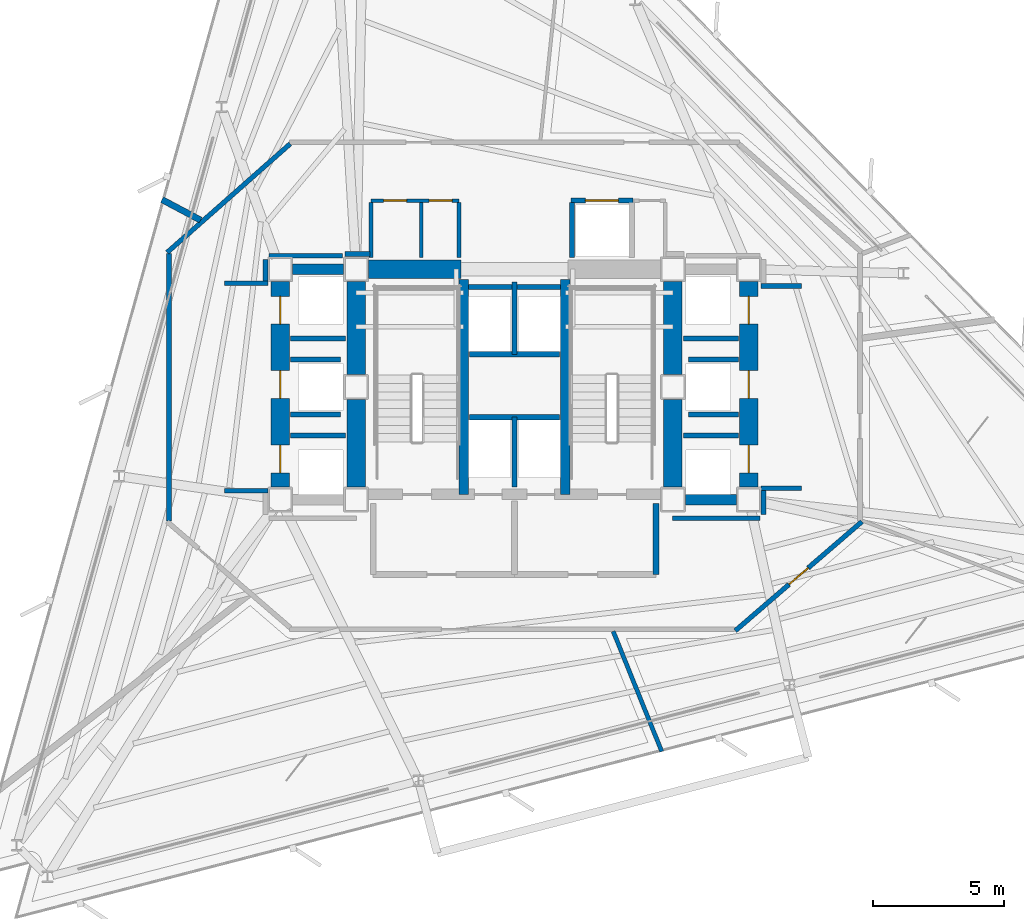
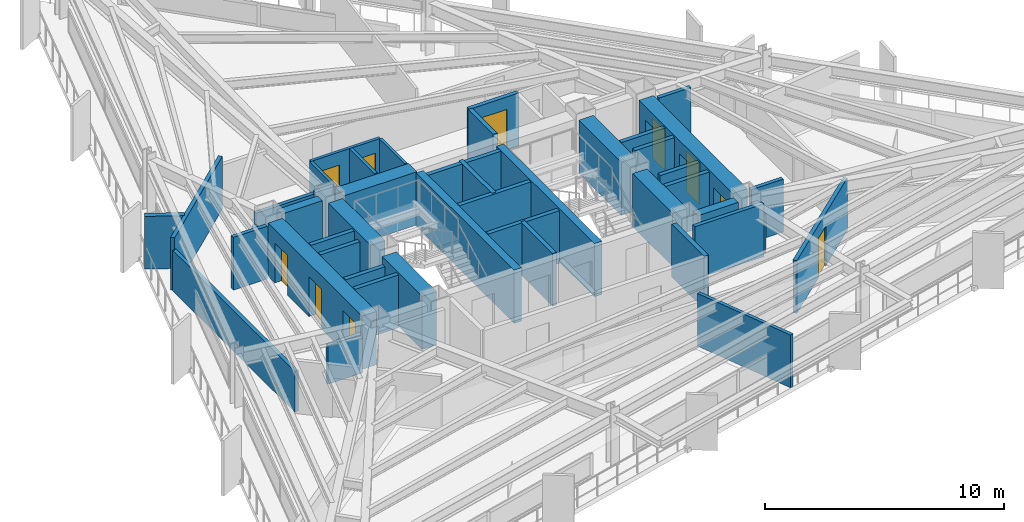
# One storey, part 7 of 11: 45 walls, 10 doors, 10 openings.
"""IFC4 building model written with IfcOpenShell, lengths in metres."""

from ifc_helpers import new_model, si_unit, direction, frame, frame_2d, origin, place, context, subcontext, project, spatial, rectangle, extrude, material, layer, layer_set, type_object, element, fill, save


model = new_model("IFC4")

# Units and contexts
model_context = context("Model", 3, precision=1e-05, world=origin(), true_north=direction((0.0, 1.0)))
body_context = subcontext(model_context, "Body", "Model", "MODEL_VIEW")
ifc_project = project(units=[si_unit("LENGTHUNIT", "METRE"), si_unit("AREAUNIT", "SQUARE_METRE"), si_unit("VOLUMEUNIT", "CUBIC_METRE"), si_unit("PLANEANGLEUNIT", "RADIAN"), si_unit("MASSUNIT", "GRAM", prefix="KILO")], contexts=[model_context])

# Site, building, storey
site_placement = place(None, origin())
site = spatial("IfcSite", under=ifc_project, at=site_placement, CompositionType="ELEMENT")
building_placement = place(site_placement, origin())
building = spatial("IfcBuilding", under=site, at=building_placement, Name="Rocaltana Carrier Exchange", CompositionType="ELEMENT")
storey_placement = place(building_placement, frame((0.0, 0.0, 97.760009765625)))
storey = spatial("IfcBuildingStorey", under=building, at=storey_placement, Name="L30", CompositionType="ELEMENT", Elevation=97.760009765625)

# Walls
ifc_material_1 = material(Name="Double Acoustic Gypsum Partition", Category="gypsum")
ifc_layer_1 = layer(ifc_material_1, 0.159912109375)
ifc_layer_set_1 = layer_set([ifc_layer_1], Name="Double Acoustic Gypsum Partition")
wall_type_1 = type_object("IfcWallType", Name="Acoustic Studio Partition 160 EI60", PredefinedType="PARTITIONING", material=ifc_layer_set_1)
wall_1_placement = place(storey_placement, frame((3.76953125, -9.330078125, 0.0), z_axis=(0.0, 0.0, 1.0), x_axis=(0.374635876877, -0.927172022743, 0.0)))
element("IfcWall", 1, at=wall_1_placement, inside=storey, type_object=wall_type_1, Name="L30 Suite Divider Wall D2", PredefinedType="PARTITIONING", context=body_context, shape_type="SweptSolid", body=[
    extrude(rectangle(XDim=4.951416015625, YDim=0.159912109375, at=frame_2d((2.4755859375, 0.0))), origin(), (0.0, 0.0, 1.0), 2.69287109375),
])
ifc_material_2 = material(Name="Concrete C50/60", Category="concrete")
ifc_layer_2 = layer(ifc_material_2, 0.35009765625)
ifc_layer_set_2 = layer_set([ifc_layer_2], Name="Concrete C50/60")
wall_type_2 = type_object("IfcWallType", Name="Core Internal Shear Wall 350", PredefinedType="SHEAR", material=ifc_layer_set_2)
for number, where, z_axis, x_axis, name in (
    (2, (-1.93994140625, -4.10009765625, 0.0), (0.0, 0.0, 1.0), (0.0, 1.0, 0.0), "L30 Core Shear Wall CW-STW"),
    (3, (1.93994140625, -4.10009765625, 0.0), (0.0, 0.0, 1.0), (0.0, 1.0, 0.0), "L30 Core Shear Wall CW-STE"),
):
    element("IfcWall", number, at=place(storey_placement, frame(where, z_axis=z_axis, x_axis=x_axis)), inside=storey, type_object=wall_type_2, Name=name, PredefinedType="SHEAR", context=body_context, shape_type="SweptSolid", body=[
        extrude(rectangle(XDim=8.2001953125, YDim=0.35009765625, at=frame_2d((4.10009765625, 0.0))), origin(), (0.0, 0.0, 1.0), 2.718017578125),
    ])
ifc_material_3 = material(Name="Concrete C50/60", Category="concrete")
ifc_layer_3 = layer(ifc_material_3, 0.39990234375)
ifc_layer_set_3 = layer_set([ifc_layer_3], Name="Concrete C50/60")
wall_type_3 = type_object("IfcWallType", Name="Core Internal Shear Wall 400", PredefinedType="SHEAR", material=ifc_layer_set_3)
for number, where, z_axis, x_axis, name in (
    (4, (-8.47509765625, 4.5, 0.0), (0.0, 0.0, 1.0), (1.0, 0.0, 0.0), "L30 Core Shear Wall CW-WWN"),
    (5, (6.52490234375, -4.300048828125, 0.0), (0.0, 0.0, 1.0), (1.0, 0.0, 0.0), "L30 Core Shear Wall CW-EWS"),
):
    element("IfcWall", number, at=place(storey_placement, frame(where, z_axis=z_axis, x_axis=x_axis)), inside=storey, type_object=wall_type_3, Name=name, PredefinedType="SHEAR", context=body_context, shape_type="SweptSolid", body=[
        extrude(rectangle(XDim=1.9501953125, YDim=0.39990234375, at=frame_2d((0.97509765625, 0.0))), origin(), (0.0, 0.0, 1.0), 2.718017578125),
    ])
ifc_material_4 = material(Name="Concrete C60/75", Category="concrete")
ifc_layer_4 = layer(ifc_material_4, 0.699951171875)
ifc_layer_set_4 = layer_set([ifc_layer_4], Name="Concrete C60/75")
wall_type_4 = type_object("IfcWallType", Name="Core Shear Wall 700", PredefinedType="SHEAR", material=ifc_layer_set_4)
wall_2_placement = place(storey_placement, frame((-6.050048828125, 0.47509765625, 0.0), z_axis=(0.0, 0.0, 1.0), x_axis=(0.0, 1.0, 0.0)))
element("IfcWall", 6, at=wall_2_placement, inside=storey, type_object=wall_type_4, Name="L30 Core Shear Wall CW-WN", PredefinedType="SHEAR", context=body_context, shape_type="SweptSolid", body=[
    extrude(rectangle(XDim=3.5498046875, YDim=0.699951171875, at=frame_2d((1.77490234375, 0.0))), origin(), (0.0, 0.0, 1.0), 2.718017578125),
])
wall_3_placement = place(storey_placement, frame((-6.050048828125, -3.824951171875, 0.0), z_axis=(0.0, 0.0, 1.0), x_axis=(0.0, 1.0, 0.0)))
element("IfcWall", 7, at=wall_3_placement, inside=storey, type_object=wall_type_4, Name="L30 Core Shear Wall CW-WS", PredefinedType="SHEAR", context=body_context, shape_type="SweptSolid", body=[
    extrude(rectangle(XDim=3.349853515625, YDim=0.699951171875, at=frame_2d((1.6748046875, 0.0))), origin(), (0.0, 0.0, 1.0), 2.718017578125),
])
wall_4_placement = place(storey_placement, frame((6.050048828125, 0.47509765625, 0.0), z_axis=(0.0, 0.0, 1.0), x_axis=(0.0, 1.0, 0.0)))
element("IfcWall", 8, at=wall_4_placement, inside=storey, type_object=wall_type_4, Name="L30 Core Shear Wall CW-EN", PredefinedType="SHEAR", context=body_context, shape_type="SweptSolid", body=[
    extrude(rectangle(XDim=3.5498046875, YDim=0.699951171875, at=frame_2d((1.77490234375, 0.0))), origin(), (0.0, 0.0, 1.0), 2.718017578125),
])
wall_5_placement = place(storey_placement, frame((6.050048828125, -3.824951171875, 0.0), z_axis=(0.0, 0.0, 1.0), x_axis=(0.0, 1.0, 0.0)))
element("IfcWall", 9, at=wall_5_placement, inside=storey, type_object=wall_type_4, Name="L30 Core Shear Wall CW-ES", PredefinedType="SHEAR", context=body_context, shape_type="SweptSolid", body=[
    extrude(rectangle(XDim=3.349853515625, YDim=0.699951171875, at=frame_2d((1.6748046875, 0.0))), origin(), (0.0, 0.0, 1.0), 2.718017578125),
])
wall_6_placement = place(storey_placement, frame((-5.574951171875, 4.5, 0.0), z_axis=(0.0, 0.0, 1.0), x_axis=(1.0, 0.0, 0.0)))
element("IfcWall", 10, at=wall_6_placement, inside=storey, type_object=wall_type_4, Name="L30 Core Shear Wall CW-N1", PredefinedType="SHEAR", context=body_context, shape_type="SweptSolid", body=[
    extrude(rectangle(XDim=3.52490234375, YDim=0.699951171875, at=frame_2d((1.762451171875, 0.0))), origin(), (0.0, 0.0, 1.0), 2.718017578125),
])

# Wall, openings, doors
wall_7_placement = place(storey_placement, frame((-8.949951171875, -3.824951171875, 0.0), z_axis=(0.0, 0.0, 1.0), x_axis=(0.0, 1.0, 0.0)))
wall_7 = element("IfcWall", 11, at=wall_7_placement, inside=storey, type_object=wall_type_4, Name="L30 Core Shear Wall CW-WW", PredefinedType="SHEAR", context=body_context, shape_type="SweptSolid", body=[
    extrude(rectangle(XDim=7.849853515625, YDim=0.699951171875, at=frame_2d((3.9248046875, 0.0))), origin(), (0.0, 0.0, 1.0), 2.718017578125),
])
opening_1_placement = place(wall_7_placement, frame((0.550048828125, 0.0, 0.0)))
opening_1 = element("IfcOpeningElement", 12, at=opening_1_placement, cuts=wall_7, Name="Opening LD-110", PredefinedType="OPENING", context=body_context, shape_type="SweptSolid", body=[
    extrude(rectangle(XDim=1.06005859375, YDim=2.0400390625, at=frame_2d((0.530029296875, 1.02001953125))), frame((0.0, 0.35986328125, 0.0), z_axis=(0.0, -1.0, 0.0), x_axis=(1.0, 0.0, 0.0)), (0.0, 0.0, 1.0), 0.719970703125),
])
opening_2_placement = place(wall_7_placement, frame((3.39501953125, 0.0, 0.0)))
opening_2 = element("IfcOpeningElement", 13, at=opening_2_placement, cuts=wall_7, Name="Opening LD-110", PredefinedType="OPENING", context=body_context, shape_type="SweptSolid", body=[
    extrude(rectangle(XDim=1.06005859375, YDim=2.0400390625, at=frame_2d((0.530029296875, 1.02001953125))), frame((0.0, 0.35986328125, 0.0), z_axis=(0.0, -1.0, 0.0), x_axis=(1.0, 0.0, 0.0)), (0.0, 0.0, 1.0), 0.719970703125),
])
opening_3_placement = place(wall_7_placement, frame((6.22998046875, 0.0, 0.0)))
opening_3 = element("IfcOpeningElement", 14, at=opening_3_placement, cuts=wall_7, Name="Opening LD-110", PredefinedType="OPENING", context=body_context, shape_type="SweptSolid", body=[
    extrude(rectangle(XDim=1.06005859375, YDim=2.0400390625, at=frame_2d((0.530029296875, 1.02001953125))), frame((0.0, 0.35986328125, 0.0), z_axis=(0.0, -1.0, 0.0), x_axis=(1.0, 0.0, 0.0)), (0.0, 0.0, 1.0), 0.719970703125),
])
ifc_material_5 = material(Name="Brushed Stainless Sliding Door Leaf", Category="steel")
door_type_1 = type_object("IfcDoorType", Name="Lift Landing Sliding Door 1060x2040", OperationType="NOTDEFINED", PredefinedType="DOOR", material=ifc_material_5)
door_1_placement = place(opening_1_placement, origin())
door_1 = element("IfcDoor", 15, at=door_1_placement, inside=storey, type_object=door_type_1, Name="L30 Low-Rise Lift PL-L1 Landing Door", OperationType="SLIDING_TO_LEFT", OverallHeight=2.0400390625, OverallWidth=1.06005859375, PredefinedType="DOOR", context=body_context, shape_type="SweptSolid", body=[
    extrude(rectangle(XDim=1.06005859375, YDim=2.0400390625, at=frame_2d((0.530029296875, 1.02001953125))), frame((0.0, 0.02490234375, 0.0), z_axis=(0.0, -1.0, 0.0), x_axis=(1.0, 0.0, 0.0)), (0.0, 0.0, 1.0), 0.050048828125),
])
fill(opening_1, door_1)
door_2_placement = place(opening_2_placement, origin())
door_2 = element("IfcDoor", 16, at=door_2_placement, inside=storey, type_object=door_type_1, Name="L30 Low-Rise Lift PL-L2 Landing Door", OperationType="SLIDING_TO_RIGHT", OverallHeight=2.0400390625, OverallWidth=1.06005859375, PredefinedType="DOOR", context=body_context, shape_type="SweptSolid", body=[
    extrude(rectangle(XDim=1.06005859375, YDim=2.0400390625, at=frame_2d((0.530029296875, 1.02001953125))), frame((0.0, 0.02490234375, 0.0), z_axis=(0.0, -1.0, 0.0), x_axis=(1.0, 0.0, 0.0)), (0.0, 0.0, 1.0), 0.050048828125),
])
fill(opening_2, door_2)
door_3_placement = place(opening_3_placement, origin())
door_3 = element("IfcDoor", 17, at=door_3_placement, inside=storey, type_object=door_type_1, Name="L30 Low-Rise Lift PL-L3 Landing Door", OperationType="SLIDING_TO_LEFT", OverallHeight=2.0400390625, OverallWidth=1.06005859375, PredefinedType="DOOR", context=body_context, shape_type="SweptSolid", body=[
    extrude(rectangle(XDim=1.06005859375, YDim=2.0400390625, at=frame_2d((0.530029296875, 1.02001953125))), frame((0.0, 0.02490234375, 0.0), z_axis=(0.0, -1.0, 0.0), x_axis=(1.0, 0.0, 0.0)), (0.0, 0.0, 1.0), 0.050048828125),
])
fill(opening_3, door_3)

wall_8_placement = place(storey_placement, frame((8.949951171875, -3.824951171875, 0.0), z_axis=(0.0, 0.0, 1.0), x_axis=(0.0, 1.0, 0.0)))
wall_8 = element("IfcWall", 18, at=wall_8_placement, inside=storey, type_object=wall_type_4, Name="L30 Core Shear Wall CW-EW", PredefinedType="SHEAR", context=body_context, shape_type="SweptSolid", body=[
    extrude(rectangle(XDim=7.849853515625, YDim=0.699951171875, at=frame_2d((3.9248046875, 0.0))), origin(), (0.0, 0.0, 1.0), 2.718017578125),
])
opening_4_placement = place(wall_8_placement, frame((0.550048828125, 0.0, 0.0)))
opening_4 = element("IfcOpeningElement", 19, at=opening_4_placement, cuts=wall_8, Name="Opening LD-110", PredefinedType="OPENING", context=body_context, shape_type="SweptSolid", body=[
    extrude(rectangle(XDim=1.06005859375, YDim=2.0400390625, at=frame_2d((0.530029296875, 1.02001953125))), frame((0.0, 0.35986328125, 0.0), z_axis=(0.0, -1.0, 0.0), x_axis=(1.0, 0.0, 0.0)), (0.0, 0.0, 1.0), 0.719970703125),
])
opening_5_placement = place(wall_8_placement, frame((3.39501953125, 0.0, 0.0)))
opening_5 = element("IfcOpeningElement", 20, at=opening_5_placement, cuts=wall_8, Name="Opening LD-110", PredefinedType="OPENING", context=body_context, shape_type="SweptSolid", body=[
    extrude(rectangle(XDim=1.06005859375, YDim=2.0400390625, at=frame_2d((0.530029296875, 1.02001953125))), frame((0.0, 0.35986328125, 0.0), z_axis=(0.0, -1.0, 0.0), x_axis=(1.0, 0.0, 0.0)), (0.0, 0.0, 1.0), 0.719970703125),
])
opening_6_placement = place(wall_8_placement, frame((6.22998046875, 0.0, 0.0)))
opening_6 = element("IfcOpeningElement", 21, at=opening_6_placement, cuts=wall_8, Name="Opening LD-110", PredefinedType="OPENING", context=body_context, shape_type="SweptSolid", body=[
    extrude(rectangle(XDim=1.06005859375, YDim=2.0400390625, at=frame_2d((0.530029296875, 1.02001953125))), frame((0.0, 0.35986328125, 0.0), z_axis=(0.0, -1.0, 0.0), x_axis=(1.0, 0.0, 0.0)), (0.0, 0.0, 1.0), 0.719970703125),
])
door_4_placement = place(opening_4_placement, origin())
door_4 = element("IfcDoor", 22, at=door_4_placement, inside=storey, type_object=door_type_1, Name="L30 Mid-Rise Lift PL-M1 Landing Door", OperationType="SLIDING_TO_LEFT", OverallHeight=2.0400390625, OverallWidth=1.06005859375, PredefinedType="DOOR", context=body_context, shape_type="SweptSolid", body=[
    extrude(rectangle(XDim=1.06005859375, YDim=2.0400390625, at=frame_2d((0.530029296875, 1.02001953125))), frame((0.0, 0.02490234375, 0.0), z_axis=(0.0, -1.0, 0.0), x_axis=(1.0, 0.0, 0.0)), (0.0, 0.0, 1.0), 0.050048828125),
])
fill(opening_4, door_4)
door_5_placement = place(opening_5_placement, origin())
door_5 = element("IfcDoor", 23, at=door_5_placement, inside=storey, type_object=door_type_1, Name="L30 Mid-Rise Lift PL-M2 Landing Door", OperationType="SLIDING_TO_RIGHT", OverallHeight=2.0400390625, OverallWidth=1.06005859375, PredefinedType="DOOR", context=body_context, shape_type="SweptSolid", body=[
    extrude(rectangle(XDim=1.06005859375, YDim=2.0400390625, at=frame_2d((0.530029296875, 1.02001953125))), frame((0.0, 0.02490234375, 0.0), z_axis=(0.0, -1.0, 0.0), x_axis=(1.0, 0.0, 0.0)), (0.0, 0.0, 1.0), 0.050048828125),
])
fill(opening_5, door_5)
door_6_placement = place(opening_6_placement, origin())
door_6 = element("IfcDoor", 24, at=door_6_placement, inside=storey, type_object=door_type_1, Name="L30 Mid-Rise Lift PL-M3 Landing Door", OperationType="SLIDING_TO_LEFT", OverallHeight=2.0400390625, OverallWidth=1.06005859375, PredefinedType="DOOR", context=body_context, shape_type="SweptSolid", body=[
    extrude(rectangle(XDim=1.06005859375, YDim=2.0400390625, at=frame_2d((0.530029296875, 1.02001953125))), frame((0.0, 0.02490234375, 0.0), z_axis=(0.0, -1.0, 0.0), x_axis=(1.0, 0.0, 0.0)), (0.0, 0.0, 1.0), 0.050048828125),
])
fill(opening_6, door_6)

# Wall, opening, door
ifc_material_6 = material(Name="Gypsum & Steel Stud Partition", Category="steel")
ifc_layer_5 = layer(ifc_material_6, 0.179931640625)
ifc_layer_set_5 = layer_set([ifc_layer_5], Name="Gypsum & Steel Stud Partition")
wall_type_5 = type_object("IfcWallType", Name="Corridor Fire Partition 180 EI60", PredefinedType="PARTITIONING", material=ifc_layer_set_5)
wall_9_placement = place(storey_placement, frame((13.268310546875, -5.14111328125, 0.0), z_axis=(0.0, 0.0, 1.0), x_axis=(-0.757534501725, -0.65279512766, 0.0)))
wall_9 = element("IfcWall", 25, at=wall_9_placement, inside=storey, type_object=wall_type_5, Name="L30 Corridor Partition 4", PredefinedType="PARTITIONING", context=body_context, shape_type="SweptSolid", body=[
    extrude(rectangle(XDim=6.384521484375, YDim=0.179931640625, at=frame_2d((3.1923828125, 0.0))), origin(), (0.0, 0.0, 1.0), 2.69287109375),
])
opening_7_placement = place(wall_9_placement, frame((2.712158203125, 0.0, 0.0)))
opening_7 = element("IfcOpeningElement", 26, at=opening_7_placement, cuts=wall_9, Name="Opening D-RM098", PredefinedType="OPENING", context=body_context, shape_type="SweptSolid", body=[
    extrude(rectangle(XDim=0.9599609375, YDim=2.02001953125, at=frame_2d((0.47998046875, 1.010009765625))), frame((0.0, 0.099853515625, 0.0), z_axis=(0.0, -1.0, 0.0), x_axis=(1.0, 0.0, 0.0)), (0.0, 0.0, 1.0), 0.199951171875),
])
ifc_material_7 = material(Name="Engineered Hardwood Timber", Category="wood")
door_type_2 = type_object("IfcDoorType", Name="Workspace Single Door 960x2020", OperationType="NOTDEFINED", PredefinedType="DOOR", material=ifc_material_7)
door_7_placement = place(opening_7_placement, origin())
door_7 = element("IfcDoor", 27, at=door_7_placement, inside=storey, type_object=door_type_2, Name="L30 Network Engineering Studio Entrance Door", OperationType="SINGLE_SWING_RIGHT", OverallHeight=2.02001953125, OverallWidth=0.9599609375, PredefinedType="DOOR", context=body_context, shape_type="SweptSolid", body=[
    extrude(rectangle(XDim=0.9599609375, YDim=2.02001953125, at=frame_2d((0.47998046875, 1.010009765625))), frame((0.0, 0.02490234375, 0.0), z_axis=(0.0, -1.0, 0.0), x_axis=(1.0, 0.0, 0.0)), (0.0, 0.0, 1.0), 0.050048828125),
])
fill(opening_7, door_7)

# Walls
wall_10_placement = place(storey_placement, frame((-13.199951171875, -5.110107421875, 0.0), z_axis=(0.0, 0.0, 1.0), x_axis=(0.0, 1.0, 0.0)))
element("IfcWall", 28, at=wall_10_placement, inside=storey, type_object=wall_type_5, Name="L30 Corridor Partition 7", PredefinedType="PARTITIONING", context=body_context, shape_type="SweptSolid", body=[
    extrude(rectangle(XDim=10.22021484375, YDim=0.179931640625, at=frame_2d((5.110107421875, 0.0))), origin(), (0.0, 0.0, 1.0), 2.072998046875),
])
wall_11_placement = place(storey_placement, frame((-13.267578125, 5.140380859375, 0.0), z_axis=(0.0, 0.0, 1.0), x_axis=(0.749626463267, 0.66186113768, 0.0)))
element("IfcWall", 29, at=wall_11_placement, inside=storey, type_object=wall_type_5, Name="L30 Corridor Partition 8", PredefinedType="PARTITIONING", context=body_context, shape_type="SweptSolid", body=[
    extrude(rectangle(XDim=6.27001953125, YDim=0.179931640625, at=frame_2d((3.135009765625, 0.0))), origin(), (0.0, 0.0, 1.0), 2.69287109375),
])
wall_12_placement = place(storey_placement, frame((-9.510009765625, 4.8701171875, 0.0), z_axis=(0.0, 0.0, 1.0), x_axis=(0.0, -1.0, 0.0)))
element("IfcWall", 30, at=wall_12_placement, inside=storey, type_object=wall_type_5, Name="L30 Corridor Partition 9", PredefinedType="PARTITIONING", context=body_context, shape_type="SweptSolid", body=[
    extrude(rectangle(XDim=0.820068359375, YDim=0.179931640625, at=frame_2d((0.41015625, 0.0))), origin(), (0.0, 0.0, 1.0), 2.20703125),
])
wall_13_placement = place(storey_placement, frame((-9.419921875, 3.9599609375, 0.0), z_axis=(0.0, 0.0, 1.0), x_axis=(-1.0, 0.0, 0.0)))
element("IfcWall", 31, at=wall_13_placement, inside=storey, type_object=wall_type_5, Name="L30 Corridor Partition 10", PredefinedType="PARTITIONING", context=body_context, shape_type="SweptSolid", body=[
    extrude(rectangle(XDim=1.650146484375, YDim=0.179931640625, at=frame_2d((0.8251953125, 0.0))), origin(), (0.0, 0.0, 1.0), 2.69287109375),
])
wall_14_placement = place(storey_placement, frame((-11.070068359375, -3.9599609375, 0.0), z_axis=(0.0, 0.0, 1.0), x_axis=(1.0, 0.0, 0.0)))
element("IfcWall", 32, at=wall_14_placement, inside=storey, type_object=wall_type_5, Name="L30 Corridor Partition 11", PredefinedType="PARTITIONING", context=body_context, shape_type="SweptSolid", body=[
    extrude(rectangle(XDim=1.650146484375, YDim=0.179931640625, at=frame_2d((0.8251953125, 0.0))), origin(), (0.0, 0.0, 1.0), 1.97802734375),
])
wall_15_placement = place(storey_placement, frame((6.030029296875, -5.010009765625, 0.0), z_axis=(0.0, 0.0, 1.0), x_axis=(1.0, 0.0, 0.0)))
element("IfcWall", 33, at=wall_15_placement, inside=storey, type_object=wall_type_5, Name="L30 Corridor Partition 16", PredefinedType="PARTITIONING", context=body_context, shape_type="SweptSolid", body=[
    extrude(rectangle(XDim=3.340087890625, YDim=0.179931640625, at=frame_2d((1.669921875, 0.0))), origin(), (0.0, 0.0, 1.0), 2.69287109375),
])
wall_16_placement = place(storey_placement, frame((9.510009765625, -4.8701171875, 0.0), z_axis=(0.0, 0.0, 1.0), x_axis=(0.0, 1.0, 0.0)))
element("IfcWall", 34, at=wall_16_placement, inside=storey, type_object=wall_type_5, Name="L30 Corridor Partition 17", PredefinedType="PARTITIONING", context=body_context, shape_type="SweptSolid", body=[
    extrude(rectangle(XDim=0.920166015625, YDim=0.179931640625, at=frame_2d((0.4599609375, 0.0))), origin(), (0.0, 0.0, 1.0), 1.97802734375),
])
for number, where, z_axis, x_axis, name in (
    (35, (9.419921875, -3.860107421875, 0.0), (0.0, 0.0, 1.0), (1.0, 0.0, 0.0), "L30 Corridor Partition 18"),
    (36, (10.969970703125, 3.860107421875, 0.0), (0.0, 0.0, 1.0), (-1.0, 0.0, 0.0), "L30 Corridor Partition 19"),
):
    element("IfcWall", number, at=place(storey_placement, frame(where, z_axis=z_axis, x_axis=x_axis)), inside=storey, type_object=wall_type_5, Name=name, PredefinedType="PARTITIONING", context=body_context, shape_type="SweptSolid", body=[
        extrude(rectangle(XDim=1.550048828125, YDim=0.179931640625, at=frame_2d((0.77490234375, 0.0))), origin(), (0.0, 0.0, 1.0), 2.69287109375),
    ])
wall_17_placement = place(storey_placement, frame((-5.52001953125, 5.080078125, 0.0), z_axis=(0.0, 0.0, 1.0), x_axis=(-1.0, 0.0, 0.0)))
element("IfcWall", 37, at=wall_17_placement, inside=storey, type_object=wall_type_5, Name="L30 Corridor Partition 25", PredefinedType="PARTITIONING", context=body_context, shape_type="SweptSolid", body=[
    extrude(rectangle(XDim=0.949951171875, YDim=0.179931640625, at=frame_2d((0.47509765625, 0.0))), origin(), (0.0, 0.0, 1.0), 2.69287109375),
])
wall_18_placement = place(storey_placement, frame((-6.562255859375, 5.010009765625, 0.0), z_axis=(0.0, 0.0, 1.0), x_axis=(-1.0, 0.0, 0.0)))
element("IfcWall", 38, at=wall_18_placement, inside=storey, type_object=wall_type_5, Name="L30 Corridor Partition 26", PredefinedType="PARTITIONING", context=body_context, shape_type="SweptSolid", body=[
    extrude(rectangle(XDim=2.807861328125, YDim=0.179931640625, at=frame_2d((1.40380859375, 0.0))), origin(), (0.0, 0.0, 1.0), 2.69287109375),
])
ifc_material_8 = material(Name="Autoclaved Aerated Concrete C30/37", Category="concrete")
ifc_layer_6 = layer(ifc_material_8, 0.219970703125)
ifc_layer_set_6 = layer_set([ifc_layer_6], Name="Autoclaved Aerated Concrete C30/37")
wall_type_6 = type_object("IfcWallType", Name="Firefighting Lobby Wall 220 EI120", PredefinedType="PARTITIONING", material=ifc_layer_set_6)
wall_19_placement = place(storey_placement, frame((5.39990234375, -7.159912109375, 0.0), z_axis=(0.0, 0.0, 1.0), x_axis=(0.0, 1.0, 0.0)))
element("IfcWall", 39, at=wall_19_placement, inside=storey, type_object=wall_type_6, Name="L30 FFL Lobby 2 East Wall", PredefinedType="PARTITIONING", context=body_context, shape_type="SweptSolid", body=[
    extrude(rectangle(XDim=2.7099609375, YDim=0.219970703125, at=frame_2d((1.35498046875, 0.0))), origin(), (0.0, 0.0, 1.0), 2.69287109375),
])
ifc_material_9 = material(Name="Acoustic Calcium Silicate Partition", Category="gypsum")
ifc_layer_7 = layer(ifc_material_9, 0.239990234375)
ifc_layer_set_7 = layer_set([ifc_layer_7], Name="Acoustic Calcium Silicate Partition")
wall_type_7 = type_object("IfcWallType", Name="Heavy Lab Partition 240 EI90", PredefinedType="PARTITIONING", material=ifc_layer_set_7)
wall_20_placement = place(storey_placement, frame((-11.989990234375, 6.375244140625, 0.0), z_axis=(0.0, 0.0, 1.0), x_axis=(-0.882931788889, 0.469501284524, 0.0)))
element("IfcWall", 40, at=wall_20_placement, inside=storey, type_object=wall_type_7, Name="L30 Suite Divider Wall D7", PredefinedType="PARTITIONING", context=body_context, shape_type="SweptSolid", body=[
    extrude(rectangle(XDim=1.667724609375, YDim=0.239990234375, at=frame_2d((0.833984375, 0.0))), origin(), (0.0, 0.0, 1.0), 2.69287109375),
])
ifc_material_10 = material(Name="Reinforced Concrete Block C35/45", Category="concrete")
ifc_layer_8 = layer(ifc_material_10, 0.199951171875)
ifc_layer_set_8 = layer_set([ifc_layer_8], Name="Reinforced Concrete Block C35/45")
wall_type_8 = type_object("IfcWallType", Name="Lift Hoistway Enclosure Wall 200 EI120", PredefinedType="PARTITIONING", material=ifc_layer_set_8)
wall_21_placement = place(storey_placement, frame((0.0, -3.820068359375, 0.0), z_axis=(0.0, 0.0, 1.0), x_axis=(0.0, 1.0, 0.0)))
element("IfcWall", 41, at=wall_21_placement, inside=storey, type_object=wall_type_8, Name="L30 FFL Shaft Divider", PredefinedType="PARTITIONING", context=body_context, shape_type="SweptSolid", body=[
    extrude(rectangle(XDim=2.670166015625, YDim=0.199951171875, at=frame_2d((1.3349609375, 0.0))), origin(), (0.0, 0.0, 1.0), 2.69287109375),
])
wall_22_placement = place(storey_placement, frame((-1.719970703125, -1.14990234375, 0.0), z_axis=(0.0, 0.0, 1.0), x_axis=(1.0, 0.0, 0.0)))
element("IfcWall", 42, at=wall_22_placement, inside=storey, type_object=wall_type_8, Name="L30 FFL Shaft Back Wall", PredefinedType="PARTITIONING", context=body_context, shape_type="SweptSolid", body=[
    extrude(rectangle(XDim=3.43994140625, YDim=0.199951171875, at=frame_2d((1.719970703125, 0.0))), origin(), (0.0, 0.0, 1.0), 2.69287109375),
])
wall_23_placement = place(storey_placement, frame((0.0, 1.25, 0.0), z_axis=(0.0, 0.0, 1.0), x_axis=(0.0, 1.0, 0.0)))
element("IfcWall", 43, at=wall_23_placement, inside=storey, type_object=wall_type_8, Name="L30 High-Rise Shaft Divider", PredefinedType="PARTITIONING", context=body_context, shape_type="SweptSolid", body=[
    extrude(rectangle(XDim=2.77001953125, YDim=0.199951171875, at=frame_2d((1.385009765625, 0.0))), origin(), (0.0, 0.0, 1.0), 2.69287109375),
])
wall_24_placement = place(storey_placement, frame((-1.719970703125, 1.25, 0.0), z_axis=(0.0, 0.0, 1.0), x_axis=(1.0, 0.0, 0.0)))
element("IfcWall", 44, at=wall_24_placement, inside=storey, type_object=wall_type_8, Name="L30 High-Rise Shaft Back Wall", PredefinedType="PARTITIONING", context=body_context, shape_type="SweptSolid", body=[
    extrude(rectangle(XDim=3.43994140625, YDim=0.199951171875, at=frame_2d((1.719970703125, 0.0))), origin(), (0.0, 0.0, 1.0), 2.69287109375),
])
wall_25_placement = place(storey_placement, frame((-1.760009765625, 3.820068359375, 0.0), z_axis=(0.0, 0.0, 1.0), x_axis=(1.0, 0.0, 0.0)))
element("IfcWall", 45, at=wall_25_placement, inside=storey, type_object=wall_type_8, Name="L30 High-Rise Lift Front Wall", PredefinedType="PARTITIONING", context=body_context, shape_type="SweptSolid", body=[
    extrude(rectangle(XDim=3.52001953125, YDim=0.199951171875, at=frame_2d((1.760009765625, 0.0))), origin(), (0.0, 0.0, 1.0), 2.69287109375),
])
wall_26_placement = place(storey_placement, frame((2.199951171875, 4.949951171875, 0.0), z_axis=(0.0, 0.0, 1.0), x_axis=(0.0, 1.0, 0.0)))
element("IfcWall", 46, at=wall_26_placement, inside=storey, type_object=wall_type_8, Name="L30 Goods Lift West Wall", PredefinedType="PARTITIONING", context=body_context, shape_type="SweptSolid", body=[
    extrude(rectangle(XDim=2.10009765625, YDim=0.199951171875, at=frame_2d((1.050048828125, 0.0))), origin(), (0.0, 0.0, 1.0), 2.69287109375),
])

# Wall, opening, door
wall_27_placement = place(storey_placement, frame((2.14990234375, 7.1201171875, 0.0), z_axis=(0.0, 0.0, 1.0), x_axis=(1.0, 0.0, 0.0)))
wall_27 = element("IfcWall", 47, at=wall_27_placement, inside=storey, type_object=wall_type_8, Name="L30 Goods Lift Front Wall", PredefinedType="PARTITIONING", context=body_context, shape_type="SweptSolid", body=[
    extrude(rectangle(XDim=2.380126953125, YDim=0.199951171875, at=frame_2d((1.18994140625, 0.0))), origin(), (0.0, 0.0, 1.0), 2.69287109375),
])
opening_8_placement = place(wall_27_placement, frame((0.56005859375, 0.0, 0.0)))
opening_8 = element("IfcOpeningElement", 48, at=opening_8_placement, cuts=wall_27, Name="Opening LD-130", PredefinedType="OPENING", context=body_context, shape_type="SweptSolid", body=[
    extrude(rectangle(XDim=1.260009765625, YDim=2.06005859375, at=frame_2d((0.6298828125, 1.030029296875))), frame((0.0, 0.10986328125, 0.0), z_axis=(0.0, -1.0, 0.0), x_axis=(1.0, 0.0, 0.0)), (0.0, 0.0, 1.0), 0.219970703125),
])
ifc_material_11 = material(Name="Brushed Stainless Sliding Door Leaf", Category="steel")
door_type_3 = type_object("IfcDoorType", Name="Goods Lift Landing Sliding Door 1260x2060", OperationType="NOTDEFINED", PredefinedType="DOOR", material=ifc_material_11)
door_8_placement = place(opening_8_placement, origin())
door_8 = element("IfcDoor", 49, at=door_8_placement, inside=storey, type_object=door_type_3, Name="L30 Goods Lift GL-1 Landing Door", OperationType="SLIDING_TO_LEFT", OverallHeight=2.06005859375, OverallWidth=1.260009765625, PredefinedType="DOOR", context=body_context, shape_type="SweptSolid", body=[
    extrude(rectangle(XDim=1.260009765625, YDim=2.06005859375, at=frame_2d((0.6298828125, 1.030029296875))), frame((0.0, 0.02490234375, 0.0), z_axis=(0.0, -1.0, 0.0), x_axis=(1.0, 0.0, 0.0)), (0.0, 0.0, 1.0), 0.050048828125),
])
fill(opening_8, door_8)

# Walls
for number, where, z_axis, x_axis, name in (
    (50, (-8.550048828125, -1.85009765625, 0.0), (0.0, 0.0, 1.0), (1.0, 0.0, 0.0), "L30 Low-Rise Shaft Divider 1"),
    (51, (-8.550048828125, 1.85009765625, 0.0), (0.0, 0.0, 1.0), (1.0, 0.0, 0.0), "L30 Low-Rise Shaft Divider 2"),
):
    element("IfcWall", number, at=place(storey_placement, frame(where, z_axis=z_axis, x_axis=x_axis)), inside=storey, type_object=wall_type_8, Name=name, PredefinedType="PARTITIONING", context=body_context, shape_type="SweptSolid", body=[
        extrude(rectangle(XDim=2.10009765625, YDim=0.199951171875, at=frame_2d((1.050048828125, 0.0))), origin(), (0.0, 0.0, 1.0), 2.69287109375),
    ])
for number, where, z_axis, x_axis, name in (
    (52, (-8.550048828125, -1.050048828125, 0.0), (0.0, 0.0, 1.0), (1.0, 0.0, 0.0), "L30 Low-Rise Center Shaft Wall South"),
    (53, (-8.550048828125, 1.050048828125, 0.0), (0.0, 0.0, 1.0), (1.0, 0.0, 0.0), "L30 Low-Rise Center Shaft Wall North"),
):
    element("IfcWall", number, at=place(storey_placement, frame(where, z_axis=z_axis, x_axis=x_axis)), inside=storey, type_object=wall_type_8, Name=name, PredefinedType="PARTITIONING", context=body_context, shape_type="SweptSolid", body=[
        extrude(rectangle(XDim=1.91015625, YDim=0.199951171875, at=frame_2d((0.955078125, 0.0))), origin(), (0.0, 0.0, 1.0), 2.69287109375),
    ])
for number, where, z_axis, x_axis, name in (
    (54, (6.449951171875, -1.85009765625, 0.0), (0.0, 0.0, 1.0), (1.0, 0.0, 0.0), "L30 Mid-Rise Shaft Divider 1"),
    (55, (6.449951171875, 1.85009765625, 0.0), (0.0, 0.0, 1.0), (1.0, 0.0, 0.0), "L30 Mid-Rise Shaft Divider 2"),
):
    element("IfcWall", number, at=place(storey_placement, frame(where, z_axis=z_axis, x_axis=x_axis)), inside=storey, type_object=wall_type_8, Name=name, PredefinedType="PARTITIONING", context=body_context, shape_type="SweptSolid", body=[
        extrude(rectangle(XDim=2.10009765625, YDim=0.199951171875, at=frame_2d((1.050048828125, 0.0))), origin(), (0.0, 0.0, 1.0), 2.69287109375),
    ])
for number, where, z_axis, x_axis, name in (
    (56, (6.639892578125, -1.050048828125, 0.0), (0.0, 0.0, 1.0), (1.0, 0.0, 0.0), "L30 Mid-Rise Center Shaft Wall South"),
    (57, (6.639892578125, 1.050048828125, 0.0), (0.0, 0.0, 1.0), (1.0, 0.0, 0.0), "L30 Mid-Rise Center Shaft Wall North"),
):
    element("IfcWall", number, at=place(storey_placement, frame(where, z_axis=z_axis, x_axis=x_axis)), inside=storey, type_object=wall_type_8, Name=name, PredefinedType="PARTITIONING", context=body_context, shape_type="SweptSolid", body=[
        extrude(rectangle(XDim=1.91015625, YDim=0.199951171875, at=frame_2d((0.955078125, 0.0))), origin(), (0.0, 0.0, 1.0), 2.69287109375),
    ])
ifc_material_12 = material(Name="Moisture-Resistant Masonry C30/37", Category="masonry")
ifc_layer_9 = layer(ifc_material_12, 0.139892578125)
ifc_layer_set_9 = layer_set([ifc_layer_9], Name="Moisture-Resistant Masonry C30/37")
wall_type_9 = type_object("IfcWallType", Name="Wet-Area Sanitary Partition 140", PredefinedType="PARTITIONING", material=ifc_layer_set_9)
for number, where, z_axis, x_axis, name in (
    (58, (-5.47998046875, 4.949951171875, 0.0), (0.0, 0.0, 1.0), (0.0, 1.0, 0.0), "L30 Sanitary West Wall"),
    (59, (-3.56005859375, 4.949951171875, 0.0), (0.0, 0.0, 1.0), (0.0, 1.0, 0.0), "L30 Sanitary Divider"),
    (60, (-2.1201171875, 4.949951171875, 0.0), (0.0, 0.0, 1.0), (0.0, 1.0, 0.0), "L30 Sanitary East Wall"),
):
    element("IfcWall", number, at=place(storey_placement, frame(where, z_axis=z_axis, x_axis=x_axis)), inside=storey, type_object=wall_type_9, Name=name, PredefinedType="PARTITIONING", context=body_context, shape_type="SweptSolid", body=[
        extrude(rectangle(XDim=2.10009765625, YDim=0.139892578125, at=frame_2d((1.050048828125, 0.0))), origin(), (0.0, 0.0, 1.0), 2.69287109375),
    ])

# Wall, openings, doors
wall_28_placement = place(storey_placement, frame((-5.47998046875, 7.1201171875, 0.0), z_axis=(0.0, 0.0, 1.0), x_axis=(1.0, 0.0, 0.0)))
wall_28 = element("IfcWall", 61, at=wall_28_placement, inside=storey, type_object=wall_type_9, Name="L30 Sanitary North Wall", PredefinedType="PARTITIONING", context=body_context, shape_type="SweptSolid", body=[
    extrude(rectangle(XDim=3.35986328125, YDim=0.139892578125, at=frame_2d((1.679931640625, 0.0))), origin(), (0.0, 0.0, 1.0), 2.69287109375),
])
opening_9_placement = place(wall_28_placement, frame((0.47998046875, 0.0, 0.0)))
opening_9 = element("IfcOpeningElement", 62, at=opening_9_placement, cuts=wall_28, Name="Opening D-WC090", PredefinedType="OPENING", context=body_context, shape_type="SweptSolid", body=[
    extrude(rectangle(XDim=0.8798828125, YDim=2.02001953125, at=frame_2d((0.43994140625, 1.010009765625))), frame((0.0, 0.079833984375, 0.0), z_axis=(0.0, -1.0, 0.0), x_axis=(1.0, 0.0, 0.0)), (0.0, 0.0, 1.0), 0.159912109375),
])
opening_10_placement = place(wall_28_placement, frame((2.219970703125, 0.0, 0.0)))
opening_10 = element("IfcOpeningElement", 63, at=opening_10_placement, cuts=wall_28, Name="Opening D-WC090", PredefinedType="OPENING", context=body_context, shape_type="SweptSolid", body=[
    extrude(rectangle(XDim=0.8798828125, YDim=2.02001953125, at=frame_2d((0.43994140625, 1.010009765625))), frame((0.0, 0.079833984375, 0.0), z_axis=(0.0, -1.0, 0.0), x_axis=(1.0, 0.0, 0.0)), (0.0, 0.0, 1.0), 0.159912109375),
])
ifc_material_13 = material(Name="High-Pressure Laminate Timber", Category="wood")
door_type_4 = type_object("IfcDoorType", Name="Restroom & Accessible WC Door 880x2020", OperationType="NOTDEFINED", PredefinedType="DOOR", material=ifc_material_13)
door_9_placement = place(opening_9_placement, origin())
door_9 = element("IfcDoor", 64, at=door_9_placement, inside=storey, type_object=door_type_4, Name="L30 Accessible Toilet Door", OperationType="SINGLE_SWING_LEFT", OverallHeight=2.02001953125, OverallWidth=0.8798828125, PredefinedType="DOOR", context=body_context, shape_type="SweptSolid", body=[
    extrude(rectangle(XDim=0.8798828125, YDim=2.02001953125, at=frame_2d((0.43994140625, 1.010009765625))), frame((0.0, 0.02490234375, 0.0), z_axis=(0.0, -1.0, 0.0), x_axis=(1.0, 0.0, 0.0)), (0.0, 0.0, 1.0), 0.050048828125),
])
fill(opening_9, door_9)
door_10_placement = place(opening_10_placement, origin())
door_10 = element("IfcDoor", 65, at=door_10_placement, inside=storey, type_object=door_type_4, Name="L30 Staff Restroom Door", OperationType="SINGLE_SWING_RIGHT", OverallHeight=2.02001953125, OverallWidth=0.8798828125, PredefinedType="DOOR", context=body_context, shape_type="SweptSolid", body=[
    extrude(rectangle(XDim=0.8798828125, YDim=2.02001953125, at=frame_2d((0.43994140625, 1.010009765625))), frame((0.0, 0.02490234375, 0.0), z_axis=(0.0, -1.0, 0.0), x_axis=(1.0, 0.0, 0.0)), (0.0, 0.0, 1.0), 0.050048828125),
])
fill(opening_10, door_10)

save(model, "model.ifc")
